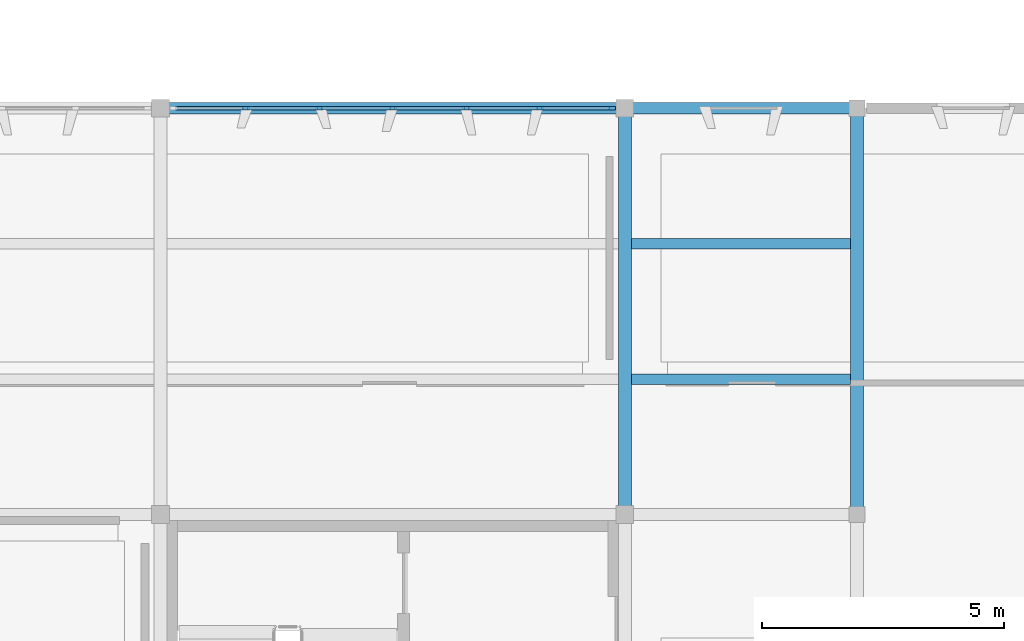
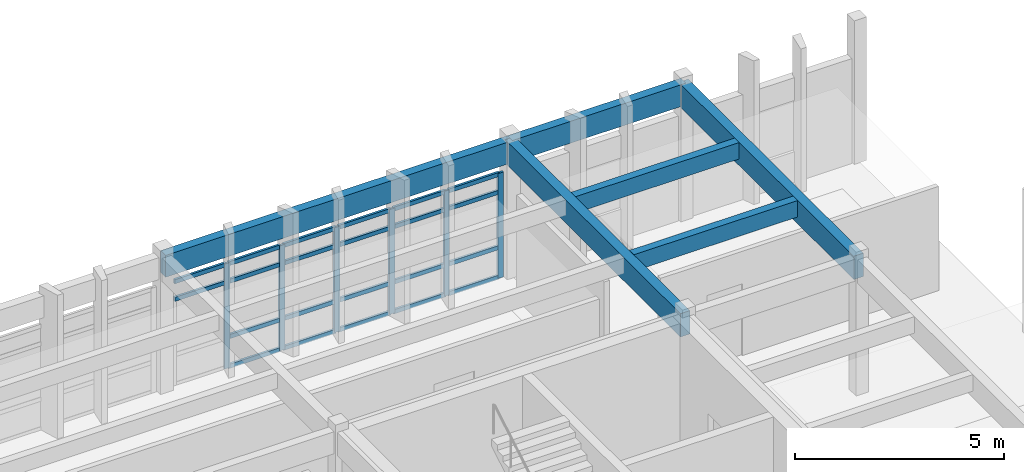
# One storey, part 10 of 18: 28 members, 6 beams, 1 element without a shape of its own.
"""IFC4 building model written with IfcOpenShell, lengths in metres."""

from ifc_helpers import new_model, si_unit, direction, frame, origin, origin_2d, place, context, subcontext, project, spatial, rectangle, extrude, material, layer, layer_set, material_profile, profile_set, type_object, element, aggregate, save


model = new_model("IFC4")

# Units and contexts
model_context = context("Model", 3, precision=1e-05, world=origin(), true_north=direction((0.0, 1.0)))
body_context = subcontext(model_context, "Body", "Model", "MODEL_VIEW")
ifc_project = project(units=[si_unit("LENGTHUNIT", "METRE"), si_unit("AREAUNIT", "SQUARE_METRE"), si_unit("VOLUMEUNIT", "CUBIC_METRE"), si_unit("PLANEANGLEUNIT", "RADIAN"), si_unit("MASSUNIT", "GRAM", prefix="KILO")], contexts=[model_context])

# Site, building, storey
site_placement = place(None, origin())
site = spatial("IfcSite", under=ifc_project, at=site_placement, CompositionType="ELEMENT")
building_placement = place(site_placement, origin())
building = spatial("IfcBuilding", under=site, at=building_placement, Name="Kolvemor Railside Polytechnic", CompositionType="ELEMENT")
storey_placement = place(building_placement, frame((0.0, 0.0, 18.60009765625)))
storey = spatial("IfcBuildingStorey", under=building, at=storey_placement, Name="L04", CompositionType="ELEMENT", Elevation=18.60009765625)

# Beams
ifc_material_1 = material(Name="Glulam GL28h", Category="wood")
ifc_material_profile_1 = material_profile(ifc_material_1, rectangle(XDim=0.264892578125, YDim=0.679931640625, at=origin_2d()), Name="GL265x680")
ifc_profile_set_1 = profile_set([ifc_material_profile_1], Name="Glulam GL28h")
beam_type_1 = type_object("IfcBeamType", Name="BM-GL-GIRD2", PredefinedType="BEAM", material=ifc_profile_set_1)
for number, where, z_axis, x_axis, name in (
    (1, (115.199951171875, 30.0, 3.6298828125), (0.0, 1.0, 0.0), (-1.0, 0.0, 0.0), "Primary Girder L05-GY 1575"),
    (2, (120.0, 30.0, 3.6298828125), (0.0, 1.0, 0.0), (-1.0, 0.0, 0.0), "Primary Girder L05-GY 1624"),
):
    element("IfcBeam", number, at=place(storey_placement, frame(where, z_axis=z_axis, x_axis=x_axis)), inside=storey, type_object=beam_type_1, Name=name, PredefinedType="BEAM", context=body_context, shape_type="SweptSolid", body=[
        extrude(rectangle(XDim=0.264892578125, YDim=0.679931640625, at=origin_2d()), origin(), (0.0, 0.0, 1.0), 8.39990234375),
    ])
ifc_material_2 = material(Name="Glulam GL28h", Category="wood")
ifc_material_profile_2 = material_profile(ifc_material_2, rectangle(XDim=0.239990234375, YDim=0.639892578125, at=origin_2d()), Name="GL240x640")
ifc_profile_set_2 = profile_set([ifc_material_profile_2], Name="Glulam GL28h")
beam_type_2 = type_object("IfcBeamType", Name="BM-GL-GIRD5", PredefinedType="BEAM", material=ifc_profile_set_2)
beam_1_placement = place(storey_placement, frame((105.60009765625, 38.39990234375, 3.64990234375), z_axis=(1.0, 0.0, 0.0), x_axis=(0.0, 1.0, 0.0)))
element("IfcBeam", 3, at=beam_1_placement, inside=storey, type_object=beam_type_2, Name="Primary Girder L05-GX 1547", PredefinedType="BEAM", context=body_context, shape_type="SweptSolid", body=[
    extrude(rectangle(XDim=0.239990234375, YDim=0.639892578125, at=origin_2d()), origin(), (0.0, 0.0, 1.0), 9.599853515625),
])
beam_2_placement = place(storey_placement, frame((115.199951171875, 38.39990234375, 3.64990234375), z_axis=(1.0, 0.0, 0.0), x_axis=(0.0, 1.0, 0.0)))
element("IfcBeam", 4, at=beam_2_placement, inside=storey, type_object=beam_type_2, Name="Primary Girder L05-GX 1621", PredefinedType="BEAM", context=body_context, shape_type="SweptSolid", body=[
    extrude(rectangle(XDim=0.239990234375, YDim=0.639892578125, at=origin_2d()), origin(), (0.0, 0.0, 1.0), 4.800048828125),
])
ifc_material_3 = material(Name="Glulam GL28h", Category="wood")
ifc_material_profile_3 = material_profile(ifc_material_3, rectangle(XDim=0.215087890625, YDim=0.47998046875, at=origin_2d()), Name="GL215x480")
ifc_profile_set_3 = profile_set([ifc_material_profile_3], Name="Glulam GL28h")
beam_type_3 = type_object("IfcBeamType", Name="BM-GL-JST5", PredefinedType="JOIST", material=ifc_profile_set_3)
for number, where, z_axis, x_axis, name in (
    (5, (115.3330078125, 32.800048828125, 3.72998046875), (1.0, 0.0, 0.0), (0.0, 1.0, 0.0), "Floor Joist L05-J1629"),
    (6, (115.3330078125, 35.60009765625, 3.72998046875), (1.0, 0.0, 0.0), (0.0, 1.0, 0.0), "Floor Joist L05-J1630"),
):
    element("IfcBeam", number, at=place(storey_placement, frame(where, z_axis=z_axis, x_axis=x_axis)), inside=storey, type_object=beam_type_3, Name=name, PredefinedType="JOIST", context=body_context, shape_type="SweptSolid", body=[
        extrude(rectangle(XDim=0.215087890625, YDim=0.47998046875, at=origin_2d()), origin(), (0.0, 0.0, 1.0), 4.533935546875),
    ])

# Curtain wall, members
ifc_material_4 = material(Name="Anodised marine aluminium and laminated low-E glass", Category="aluminium")
ifc_layer = layer(ifc_material_4, 0.179931640625, Name="CW-UNIT-STD")
ifc_layer_set = layer_set([ifc_layer], Name="Anodised marine aluminium and laminated low-E glass")
curtain_wall_type = type_object("IfcCurtainWallType", Name="CW-UNIT-STD", PredefinedType="USERDEFINED", material=ifc_layer_set)
curtain_wall_placement = place(storey_placement, origin())
curtain_wall = element("IfcCurtainWall", 7, at=curtain_wall_placement, inside=storey, type_object=curtain_wall_type, Name="Curtain Wall L04-135", ObjectType="UNITISED CURTAIN WALL", PredefinedType="USERDEFINED")
ifc_material_5 = material(Name="Anodised marine aluminium 6063-T6", Category="aluminium")
ifc_material_profile_4 = material_profile(ifc_material_5, rectangle(XDim=0.06494140625, YDim=0.14990234375, at=origin_2d()), Name="CW-MUL-65x150")
ifc_profile_set_4 = profile_set([ifc_material_profile_4], Name="Anodised marine aluminium 6063-T6")
member_type_1 = type_object("IfcMemberType", Name="CWM-65x150", PredefinedType="MULLION", material=ifc_profile_set_4)
member_1_placement = place(storey_placement, frame((114.927490234375, 38.39990234375, 0.0), z_axis=(0.0, 0.0, 1.0), x_axis=(0.0, -1.0, 0.0)))
member_1 = element("IfcMember", 8, at=member_1_placement, type_object=member_type_1, Name="CW-STD mullion 1", PredefinedType="MULLION", context=body_context, shape_type="SweptSolid", body=[
    extrude(rectangle(XDim=0.06494140625, YDim=0.14990234375, at=origin_2d()), origin(), (0.0, 0.0, 1.0), 3.06982421875),
])
member_2_placement = place(storey_placement, frame((113.43994140625, 38.39990234375, 0.0), z_axis=(0.0, 0.0, 1.0), x_axis=(0.0, -1.0, 0.0)))
member_2 = element("IfcMember", 9, at=member_2_placement, type_object=member_type_1, Name="CW-STD mullion 2", PredefinedType="MULLION", context=body_context, shape_type="SweptSolid", body=[
    extrude(rectangle(XDim=0.06494140625, YDim=0.14990234375, at=origin_2d()), origin(), (0.0, 0.0, 1.0), 3.06982421875),
])
member_3_placement = place(storey_placement, frame((111.919921875, 38.39990234375, 0.0), z_axis=(0.0, 0.0, 1.0), x_axis=(0.0, -1.0, 0.0)))
member_3 = element("IfcMember", 10, at=member_3_placement, type_object=member_type_1, Name="CW-STD mullion 3", PredefinedType="MULLION", context=body_context, shape_type="SweptSolid", body=[
    extrude(rectangle(XDim=0.06494140625, YDim=0.14990234375, at=origin_2d()), origin(), (0.0, 0.0, 1.0), 3.06982421875),
])
member_4_placement = place(storey_placement, frame((110.39990234375, 38.39990234375, 0.0), z_axis=(0.0, 0.0, 1.0), x_axis=(0.0, -1.0, 0.0)))
member_4 = element("IfcMember", 11, at=member_4_placement, type_object=member_type_1, Name="CW-STD mullion 4", PredefinedType="MULLION", context=body_context, shape_type="SweptSolid", body=[
    extrude(rectangle(XDim=0.06494140625, YDim=0.14990234375, at=origin_2d()), origin(), (0.0, 0.0, 1.0), 3.06982421875),
])
member_5_placement = place(storey_placement, frame((108.8798828125, 38.39990234375, 0.0), z_axis=(0.0, 0.0, 1.0), x_axis=(0.0, -1.0, 0.0)))
member_5 = element("IfcMember", 12, at=member_5_placement, type_object=member_type_1, Name="CW-STD mullion 5", PredefinedType="MULLION", context=body_context, shape_type="SweptSolid", body=[
    extrude(rectangle(XDim=0.06494140625, YDim=0.14990234375, at=origin_2d()), origin(), (0.0, 0.0, 1.0), 3.06982421875),
])
member_6_placement = place(storey_placement, frame((107.360107421875, 38.39990234375, 0.0), z_axis=(0.0, 0.0, 1.0), x_axis=(0.0, -1.0, 0.0)))
member_6 = element("IfcMember", 13, at=member_6_placement, type_object=member_type_1, Name="CW-STD mullion 6", PredefinedType="MULLION", context=body_context, shape_type="SweptSolid", body=[
    extrude(rectangle(XDim=0.06494140625, YDim=0.14990234375, at=origin_2d()), origin(), (0.0, 0.0, 1.0), 3.06982421875),
])
ifc_material_6 = material(Name="Anodised marine aluminium 6063-T6", Category="aluminium")
ifc_material_profile_5 = material_profile(ifc_material_6, rectangle(XDim=0.06494140625, YDim=0.1201171875, at=origin_2d()), Name="CW-TRN-65x120")
ifc_profile_set_5 = profile_set([ifc_material_profile_5], Name="Anodised marine aluminium 6063-T6")
member_type_2 = type_object("IfcMemberType", Name="CWT-65x120", PredefinedType="USERDEFINED", material=ifc_profile_set_5)
member_7_placement = place(storey_placement, frame((114.89501953125, 38.39990234375, 0.032470703125), z_axis=(-1.0, 0.0, 0.0), x_axis=(0.0, -1.0, 0.0)))
member_7 = element("IfcMember", 14, at=member_7_placement, type_object=member_type_2, Name="CW-STD transom 1.1", ObjectType="TRANSOM", PredefinedType="USERDEFINED", context=body_context, shape_type="SweptSolid", body=[
    extrude(rectangle(XDim=0.06494140625, YDim=0.1201171875, at=origin_2d()), origin(), (0.0, 0.0, 1.0), 1.422607421875),
])
member_8_placement = place(storey_placement, frame((114.89501953125, 38.39990234375, 0.89990234375), z_axis=(-1.0, 0.0, 0.0), x_axis=(0.0, -1.0, 0.0)))
member_8 = element("IfcMember", 15, at=member_8_placement, type_object=member_type_2, Name="CW-STD transom 1.2", ObjectType="TRANSOM", PredefinedType="USERDEFINED", context=body_context, shape_type="SweptSolid", body=[
    extrude(rectangle(XDim=0.06494140625, YDim=0.1201171875, at=origin_2d()), origin(), (0.0, 0.0, 1.0), 1.422607421875),
])
member_9_placement = place(storey_placement, frame((114.89501953125, 38.39990234375, 2.52001953125), z_axis=(-1.0, 0.0, 0.0), x_axis=(0.0, -1.0, 0.0)))
member_9 = element("IfcMember", 16, at=member_9_placement, type_object=member_type_2, Name="CW-STD transom 1.3", ObjectType="TRANSOM", PredefinedType="USERDEFINED", context=body_context, shape_type="SweptSolid", body=[
    extrude(rectangle(XDim=0.06494140625, YDim=0.1201171875, at=origin_2d()), origin(), (0.0, 0.0, 1.0), 1.422607421875),
])
member_10_placement = place(storey_placement, frame((114.89501953125, 38.39990234375, 3.037353515625), z_axis=(-1.0, 0.0, 0.0), x_axis=(0.0, -1.0, 0.0)))
member_10 = element("IfcMember", 17, at=member_10_placement, type_object=member_type_2, Name="CW-STD transom 1.4", ObjectType="TRANSOM", PredefinedType="USERDEFINED", context=body_context, shape_type="SweptSolid", body=[
    extrude(rectangle(XDim=0.06494140625, YDim=0.1201171875, at=origin_2d()), origin(), (0.0, 0.0, 1.0), 1.422607421875),
])
member_11_placement = place(storey_placement, frame((113.407470703125, 38.39990234375, 0.032470703125), z_axis=(-1.0, 0.0, 0.0), x_axis=(0.0, -1.0, 0.0)))
member_11 = element("IfcMember", 18, at=member_11_placement, type_object=member_type_2, Name="CW-STD transom 2.1", ObjectType="TRANSOM", PredefinedType="USERDEFINED", context=body_context, shape_type="SweptSolid", body=[
    extrude(rectangle(XDim=0.06494140625, YDim=0.1201171875, at=origin_2d()), origin(), (0.0, 0.0, 1.0), 1.455078125),
])
member_12_placement = place(storey_placement, frame((113.407470703125, 38.39990234375, 0.89990234375), z_axis=(-1.0, 0.0, 0.0), x_axis=(0.0, -1.0, 0.0)))
member_12 = element("IfcMember", 19, at=member_12_placement, type_object=member_type_2, Name="CW-STD transom 2.2", ObjectType="TRANSOM", PredefinedType="USERDEFINED", context=body_context, shape_type="SweptSolid", body=[
    extrude(rectangle(XDim=0.06494140625, YDim=0.1201171875, at=origin_2d()), origin(), (0.0, 0.0, 1.0), 1.455078125),
])
member_13_placement = place(storey_placement, frame((113.407470703125, 38.39990234375, 2.52001953125), z_axis=(-1.0, 0.0, 0.0), x_axis=(0.0, -1.0, 0.0)))
member_13 = element("IfcMember", 20, at=member_13_placement, type_object=member_type_2, Name="CW-STD transom 2.3", ObjectType="TRANSOM", PredefinedType="USERDEFINED", context=body_context, shape_type="SweptSolid", body=[
    extrude(rectangle(XDim=0.06494140625, YDim=0.1201171875, at=origin_2d()), origin(), (0.0, 0.0, 1.0), 1.455078125),
])
member_14_placement = place(storey_placement, frame((113.407470703125, 38.39990234375, 3.037353515625), z_axis=(-1.0, 0.0, 0.0), x_axis=(0.0, -1.0, 0.0)))
member_14 = element("IfcMember", 21, at=member_14_placement, type_object=member_type_2, Name="CW-STD transom 2.4", ObjectType="TRANSOM", PredefinedType="USERDEFINED", context=body_context, shape_type="SweptSolid", body=[
    extrude(rectangle(XDim=0.06494140625, YDim=0.1201171875, at=origin_2d()), origin(), (0.0, 0.0, 1.0), 1.455078125),
])
member_15_placement = place(storey_placement, frame((111.887451171875, 38.39990234375, 0.032470703125), z_axis=(-1.0, 0.0, 0.0), x_axis=(0.0, -1.0, 0.0)))
member_15 = element("IfcMember", 22, at=member_15_placement, type_object=member_type_2, Name="CW-STD transom 3.1", ObjectType="TRANSOM", PredefinedType="USERDEFINED", context=body_context, shape_type="SweptSolid", body=[
    extrude(rectangle(XDim=0.06494140625, YDim=0.1201171875, at=origin_2d()), origin(), (0.0, 0.0, 1.0), 1.454833984375),
])
member_16_placement = place(storey_placement, frame((111.887451171875, 38.39990234375, 0.89990234375), z_axis=(-1.0, 0.0, 0.0), x_axis=(0.0, -1.0, 0.0)))
member_16 = element("IfcMember", 23, at=member_16_placement, type_object=member_type_2, Name="CW-STD transom 3.2", ObjectType="TRANSOM", PredefinedType="USERDEFINED", context=body_context, shape_type="SweptSolid", body=[
    extrude(rectangle(XDim=0.06494140625, YDim=0.1201171875, at=origin_2d()), origin(), (0.0, 0.0, 1.0), 1.454833984375),
])
member_17_placement = place(storey_placement, frame((111.887451171875, 38.39990234375, 2.52001953125), z_axis=(-1.0, 0.0, 0.0), x_axis=(0.0, -1.0, 0.0)))
member_17 = element("IfcMember", 24, at=member_17_placement, type_object=member_type_2, Name="CW-STD transom 3.3", ObjectType="TRANSOM", PredefinedType="USERDEFINED", context=body_context, shape_type="SweptSolid", body=[
    extrude(rectangle(XDim=0.06494140625, YDim=0.1201171875, at=origin_2d()), origin(), (0.0, 0.0, 1.0), 1.454833984375),
])
member_18_placement = place(storey_placement, frame((111.887451171875, 38.39990234375, 3.037353515625), z_axis=(-1.0, 0.0, 0.0), x_axis=(0.0, -1.0, 0.0)))
member_18 = element("IfcMember", 25, at=member_18_placement, type_object=member_type_2, Name="CW-STD transom 3.4", ObjectType="TRANSOM", PredefinedType="USERDEFINED", context=body_context, shape_type="SweptSolid", body=[
    extrude(rectangle(XDim=0.06494140625, YDim=0.1201171875, at=origin_2d()), origin(), (0.0, 0.0, 1.0), 1.454833984375),
])
member_19_placement = place(storey_placement, frame((110.367431640625, 38.39990234375, 0.032470703125), z_axis=(-1.0, 0.0, 0.0), x_axis=(0.0, -1.0, 0.0)))
member_19 = element("IfcMember", 26, at=member_19_placement, type_object=member_type_2, Name="CW-STD transom 4.1", ObjectType="TRANSOM", PredefinedType="USERDEFINED", context=body_context, shape_type="SweptSolid", body=[
    extrude(rectangle(XDim=0.06494140625, YDim=0.1201171875, at=origin_2d()), origin(), (0.0, 0.0, 1.0), 1.454833984375),
])
member_20_placement = place(storey_placement, frame((110.367431640625, 38.39990234375, 0.89990234375), z_axis=(-1.0, 0.0, 0.0), x_axis=(0.0, -1.0, 0.0)))
member_20 = element("IfcMember", 27, at=member_20_placement, type_object=member_type_2, Name="CW-STD transom 4.2", ObjectType="TRANSOM", PredefinedType="USERDEFINED", context=body_context, shape_type="SweptSolid", body=[
    extrude(rectangle(XDim=0.06494140625, YDim=0.1201171875, at=origin_2d()), origin(), (0.0, 0.0, 1.0), 1.454833984375),
])
member_21_placement = place(storey_placement, frame((110.367431640625, 38.39990234375, 2.52001953125), z_axis=(-1.0, 0.0, 0.0), x_axis=(0.0, -1.0, 0.0)))
member_21 = element("IfcMember", 28, at=member_21_placement, type_object=member_type_2, Name="CW-STD transom 4.3", ObjectType="TRANSOM", PredefinedType="USERDEFINED", context=body_context, shape_type="SweptSolid", body=[
    extrude(rectangle(XDim=0.06494140625, YDim=0.1201171875, at=origin_2d()), origin(), (0.0, 0.0, 1.0), 1.454833984375),
])
member_22_placement = place(storey_placement, frame((110.367431640625, 38.39990234375, 3.037353515625), z_axis=(-1.0, 0.0, 0.0), x_axis=(0.0, -1.0, 0.0)))
member_22 = element("IfcMember", 29, at=member_22_placement, type_object=member_type_2, Name="CW-STD transom 4.4", ObjectType="TRANSOM", PredefinedType="USERDEFINED", context=body_context, shape_type="SweptSolid", body=[
    extrude(rectangle(XDim=0.06494140625, YDim=0.1201171875, at=origin_2d()), origin(), (0.0, 0.0, 1.0), 1.454833984375),
])
member_23_placement = place(storey_placement, frame((108.847412109375, 38.39990234375, 0.032470703125), z_axis=(-1.0, 0.0, 0.0), x_axis=(0.0, -1.0, 0.0)))
member_23 = element("IfcMember", 30, at=member_23_placement, type_object=member_type_2, Name="CW-STD transom 5.1", ObjectType="TRANSOM", PredefinedType="USERDEFINED", context=body_context, shape_type="SweptSolid", body=[
    extrude(rectangle(XDim=0.06494140625, YDim=0.1201171875, at=origin_2d()), origin(), (0.0, 0.0, 1.0), 1.454833984375),
])
member_24_placement = place(storey_placement, frame((108.847412109375, 38.39990234375, 0.89990234375), z_axis=(-1.0, 0.0, 0.0), x_axis=(0.0, -1.0, 0.0)))
member_24 = element("IfcMember", 31, at=member_24_placement, type_object=member_type_2, Name="CW-STD transom 5.2", ObjectType="TRANSOM", PredefinedType="USERDEFINED", context=body_context, shape_type="SweptSolid", body=[
    extrude(rectangle(XDim=0.06494140625, YDim=0.1201171875, at=origin_2d()), origin(), (0.0, 0.0, 1.0), 1.454833984375),
])
member_25_placement = place(storey_placement, frame((108.847412109375, 38.39990234375, 2.52001953125), z_axis=(-1.0, 0.0, 0.0), x_axis=(0.0, -1.0, 0.0)))
member_25 = element("IfcMember", 32, at=member_25_placement, type_object=member_type_2, Name="CW-STD transom 5.3", ObjectType="TRANSOM", PredefinedType="USERDEFINED", context=body_context, shape_type="SweptSolid", body=[
    extrude(rectangle(XDim=0.06494140625, YDim=0.1201171875, at=origin_2d()), origin(), (0.0, 0.0, 1.0), 1.454833984375),
])
member_26_placement = place(storey_placement, frame((108.847412109375, 38.39990234375, 3.037353515625), z_axis=(-1.0, 0.0, 0.0), x_axis=(0.0, -1.0, 0.0)))
member_26 = element("IfcMember", 33, at=member_26_placement, type_object=member_type_2, Name="CW-STD transom 5.4", ObjectType="TRANSOM", PredefinedType="USERDEFINED", context=body_context, shape_type="SweptSolid", body=[
    extrude(rectangle(XDim=0.06494140625, YDim=0.1201171875, at=origin_2d()), origin(), (0.0, 0.0, 1.0), 1.454833984375),
])
member_27_placement = place(storey_placement, frame((107.327392578125, 38.39990234375, 2.52001953125), z_axis=(-1.0, 0.0, 0.0), x_axis=(0.0, -1.0, 0.0)))
member_27 = element("IfcMember", 34, at=member_27_placement, type_object=member_type_2, Name="CW-STD transom 6.3", ObjectType="TRANSOM", PredefinedType="USERDEFINED", context=body_context, shape_type="SweptSolid", body=[
    extrude(rectangle(XDim=0.06494140625, YDim=0.1201171875, at=origin_2d()), origin(), (0.0, 0.0, 1.0), 1.42236328125),
])
member_28_placement = place(storey_placement, frame((107.327392578125, 38.39990234375, 3.037353515625), z_axis=(-1.0, 0.0, 0.0), x_axis=(0.0, -1.0, 0.0)))
member_28 = element("IfcMember", 35, at=member_28_placement, type_object=member_type_2, Name="CW-STD transom 6.4", ObjectType="TRANSOM", PredefinedType="USERDEFINED", context=body_context, shape_type="SweptSolid", body=[
    extrude(rectangle(XDim=0.06494140625, YDim=0.1201171875, at=origin_2d()), origin(), (0.0, 0.0, 1.0), 1.42236328125),
])
aggregate(curtain_wall, [member_1, member_2, member_3, member_4, member_5, member_6, member_7, member_8, member_9, member_10, member_11, member_12, member_13, member_14, member_15, member_16, member_17, member_18, member_19, member_20, member_21, member_22, member_23, member_24, member_25, member_26, member_27, member_28])

save(model, "model.ifc")
